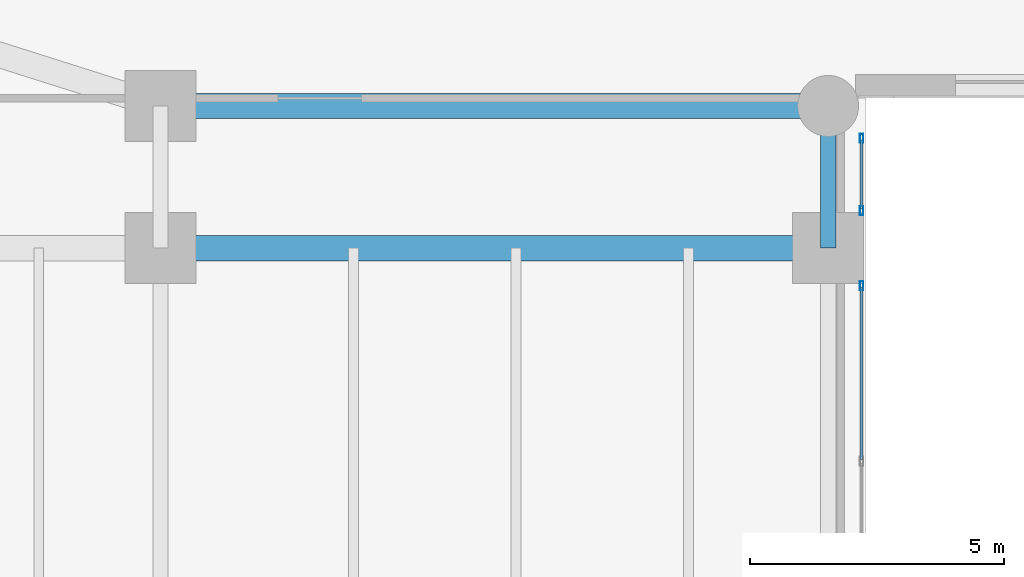
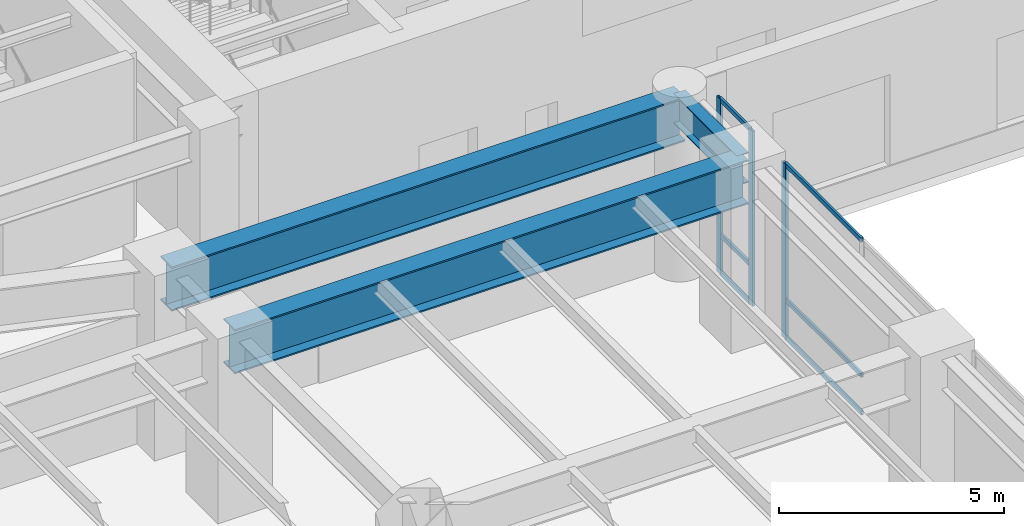
# One storey, part 7 of 24: 9 members, 3 beams, 2 elements without a shape of their own.
"""IFC4 building model written with IfcOpenShell, lengths in metres."""

from ifc_helpers import new_model, si_unit, direction, frame, origin, origin_2d, place, context, subcontext, project, spatial, hollow_rectangle, i_section, extrude, source, transform, mapped, material, layer, layer_set, material_profile, profile_set, type_object, type_shapes, element, aggregate, save


model = new_model("IFC4")

# Units and contexts
model_context = context("Model", 3, precision=1e-05, world=origin(), true_north=direction((0.0, 1.0)))
body_context = subcontext(model_context, "Body", "Model", "MODEL_VIEW")
ifc_project = project(units=[si_unit("LENGTHUNIT", "METRE"), si_unit("AREAUNIT", "SQUARE_METRE"), si_unit("VOLUMEUNIT", "CUBIC_METRE"), si_unit("PLANEANGLEUNIT", "RADIAN"), si_unit("MASSUNIT", "GRAM", prefix="KILO")], contexts=[model_context])

# Site, building, storey
site_placement = place(None, origin())
site = spatial("IfcSite", under=ifc_project, at=site_placement, CompositionType="ELEMENT")
building_placement = place(site_placement, origin())
building = spatial("IfcBuilding", under=site, at=building_placement, Name="Tolvann Quenvar Hotel", CompositionType="ELEMENT")
storey_placement = place(building_placement, frame((0.0, 0.0, 6.0)))
storey = spatial("IfcBuildingStorey", under=building, at=storey_placement, Name="L01", CompositionType="ELEMENT", Elevation=6.0)

# Beams
ifc_material_1 = material(Name="Steel Grade 350", Category="steel")
ifc_material_profile_1 = material_profile(ifc_material_1, i_section(OverallWidth=0.5, OverallDepth=1.199951171875, WebThickness=0.01611328125, FlangeThickness=0.0400390625, at=origin_2d()), Name="1200WB455")
ifc_profile_set_1 = profile_set([ifc_material_profile_1], Name="Steel Grade 350")
beam_type_1 = type_object("IfcBeamType", Name="BM_TG_1200WB455", PredefinedType="USERDEFINED", material=ifc_profile_set_1)
shared_shape_1 = source(origin(), body_context, "Body", "SweptSolid", [
    extrude(i_section(OverallWidth=0.5, OverallDepth=1.199951171875, WebThickness=0.01611328125, FlangeThickness=0.0400390625, at=origin_2d()), origin(), (0.0, 0.0, 1.0), 13.14990234375),
])
type_shapes(beam_type_1, [shared_shape_1])
for number, where, z_axis, x_axis, name in (
    (1, (5.60009765625, 24.39990234375, 4.139892578125), (1.0, 0.0, 0.0), (0.0, 1.0, 0.0), "BM-L01-GW2-4"),
    (2, (5.60009765625, 27.199951171875, 4.139892578125), (1.0, 0.0, 0.0), (0.0, 1.0, 0.0), "BM-L01-GW2-5"),
):
    element("IfcBeam", number, at=place(storey_placement, frame(where, z_axis=z_axis, x_axis=x_axis)), inside=storey, type_object=beam_type_1, Name=name, ObjectType="TRANSFER GIRDER", PredefinedType="USERDEFINED", context=body_context, shape_type="MappedRepresentation", body=[
        mapped(shared_shape_1, transform((0.0, 0.0, 0.0), x_axis=(1.0, 0.0, 0.0), y_axis=(0.0, 1.0, 0.0), z_axis=(0.0, 0.0, 1.0), scale=1.0)),
    ])
ifc_material_profile_2 = material_profile(ifc_material_1, i_section(OverallWidth=0.300048828125, OverallDepth=0.81591796875, WebThickness=0.010009765625, FlangeThickness=0.028076171875, at=origin_2d()), Name="800WB192")
ifc_profile_set_2 = profile_set([ifc_material_profile_2], Name="Steel Grade 350")
beam_type_2 = type_object("IfcBeamType", Name="BM_GIRD_800WB192", PredefinedType="BEAM", material=ifc_profile_set_2)
shared_shape_2 = source(origin(), body_context, "Body", "SweptSolid", [
    extrude(i_section(OverallWidth=0.300048828125, OverallDepth=0.81591796875, WebThickness=0.010009765625, FlangeThickness=0.028076171875, at=origin_2d()), origin(), (0.0, 0.0, 1.0), 2.800048828125),
])
type_shapes(beam_type_2, [shared_shape_2])
beam_placement = place(storey_placement, frame((18.75, 24.39990234375, 4.33203125), z_axis=(0.0, 1.0, 0.0), x_axis=(-1.0, 0.0, 0.0)))
element("IfcBeam", 3, at=beam_placement, inside=storey, type_object=beam_type_2, Name="BM-L01-NS-APW-3", PredefinedType="BEAM", context=body_context, shape_type="MappedRepresentation", body=[
    mapped(shared_shape_2, transform((0.0, 0.0, 0.0), x_axis=(1.0, 0.0, 0.0), y_axis=(0.0, 1.0, 0.0), z_axis=(0.0, 0.0, 1.0), scale=1.0)),
])

# Curtain wall, members
ifc_material_2 = material(Name="Thermally broken anodised architectural aluminium 6063-T6 and laminated low-E glass", Category="aluminium")
ifc_layer = layer(ifc_material_2, 0.179931640625)
ifc_layer_set = layer_set([ifc_layer], Name="Thermally broken anodised architectural aluminium 6063-T6 and laminated low-E glass")
curtain_wall_type = type_object("IfcCurtainWallType", Name="CW_SYS_ARCH_01", PredefinedType="USERDEFINED", material=ifc_layer_set)
curtain_wall_1_placement = place(storey_placement, origin())
curtain_wall_1 = element("IfcCurtainWall", 4, at=curtain_wall_1_placement, inside=storey, type_object=curtain_wall_type, Name="Curtain Wall CW-ARCH-01 (CWR-L01-E01-S4)", ObjectType="UNITISED CURTAIN WALL", PredefinedType="USERDEFINED")
ifc_material_3 = material(Name="Anodised architectural aluminium 6063-T6 framing", Category="aluminium")
ifc_material_profile_3 = material_profile(ifc_material_3, hollow_rectangle(XDim=0.06005859375, YDim=0.1201171875, WallThickness=0.00341796875, at=origin_2d()), Name="120x60x3.5RHS")
ifc_profile_set_3 = profile_set([ifc_material_profile_3], Name="Anodised architectural aluminium 6063-T6 framing")
member_type_1 = type_object("IfcMemberType", Name="CW_TRAN_120x60", PredefinedType="USERDEFINED", material=ifc_profile_set_3)
shared_shape_3 = source(origin(), body_context, "Body", "SweptSolid", [
    extrude(hollow_rectangle(XDim=0.06005859375, YDim=0.1201171875, WallThickness=0.00341796875, at=origin_2d()), origin(), (0.0, 0.0, 1.0), 3.390869140625),
])
member_1_placement = place(storey_placement, frame((19.409912109375, 20.235107421875, 0.030029296875), z_axis=(0.0, 1.0, 0.0), x_axis=(-1.0, 0.0, 0.0)))
member_1 = element("IfcMember", 5, at=member_1_placement, type_object=member_type_1, Name="CW-ARCH-01 transom 2.1", ObjectType="TRANSOM", PredefinedType="USERDEFINED", context=body_context, shape_type="MappedRepresentation", body=[
    mapped(shared_shape_3, transform((0.0, 0.0, 0.0), x_axis=(1.0, 0.0, 0.0), y_axis=(0.0, 1.0, 0.0), z_axis=(0.0, 0.0, 1.0), scale=1.0)),
])
member_2_placement = place(storey_placement, frame((19.409912109375, 20.235107421875, 1.050048828125), z_axis=(0.0, 1.0, 0.0), x_axis=(-1.0, 0.0, 0.0)))
member_2 = element("IfcMember", 6, at=member_2_placement, type_object=member_type_1, Name="CW-ARCH-01 transom 2.2", ObjectType="TRANSOM", PredefinedType="USERDEFINED", context=body_context, shape_type="MappedRepresentation", body=[
    mapped(shared_shape_3, transform((0.0, 0.0, 0.0), x_axis=(1.0, 0.0, 0.0), y_axis=(0.0, 1.0, 0.0), z_axis=(0.0, 0.0, 1.0), scale=1.0)),
])
member_3_placement = place(storey_placement, frame((19.409912109375, 20.235107421875, 4.7099609375), z_axis=(0.0, 1.0, 0.0), x_axis=(-1.0, 0.0, 0.0)))
member_3 = element("IfcMember", 7, at=member_3_placement, type_object=member_type_1, Name="CW-ARCH-01 transom 2.3", ObjectType="TRANSOM", PredefinedType="USERDEFINED", context=body_context, shape_type="MappedRepresentation", body=[
    mapped(shared_shape_3, transform((0.0, 0.0, 0.0), x_axis=(1.0, 0.0, 0.0), y_axis=(0.0, 1.0, 0.0), z_axis=(0.0, 0.0, 1.0), scale=1.0)),
])

curtain_wall_2_placement = place(storey_placement, origin())
curtain_wall_2 = element("IfcCurtainWall", 8, at=curtain_wall_2_placement, inside=storey, type_object=curtain_wall_type, Name="Curtain Wall CW-ARCH-01 (CWR-L01-E01-S5)", ObjectType="UNITISED CURTAIN WALL", PredefinedType="USERDEFINED")
shared_shape_4 = source(origin(), body_context, "Body", "SweptSolid", [
    extrude(hollow_rectangle(XDim=0.06005859375, YDim=0.1201171875, WallThickness=0.00341796875, at=origin_2d()), origin(), (0.0, 0.0, 1.0), 1.351806640625),
])
type_shapes(member_type_1, [shared_shape_3, shared_shape_4])
member_4_placement = place(storey_placement, frame((19.409912109375, 25.174072265625, 0.030029296875), z_axis=(0.0, 1.0, 0.0), x_axis=(-1.0, 0.0, 0.0)))
member_4 = element("IfcMember", 9, at=member_4_placement, type_object=member_type_1, Name="CW-ARCH-01 transom 1.1", ObjectType="TRANSOM", PredefinedType="USERDEFINED", context=body_context, shape_type="MappedRepresentation", body=[
    mapped(shared_shape_4, transform((0.0, 0.0, 0.0), x_axis=(1.0, 0.0, 0.0), y_axis=(0.0, 1.0, 0.0), z_axis=(0.0, 0.0, 1.0), scale=1.0)),
])
member_5_placement = place(storey_placement, frame((19.409912109375, 25.174072265625, 1.050048828125), z_axis=(0.0, 1.0, 0.0), x_axis=(-1.0, 0.0, 0.0)))
member_5 = element("IfcMember", 10, at=member_5_placement, type_object=member_type_1, Name="CW-ARCH-01 transom 1.2", ObjectType="TRANSOM", PredefinedType="USERDEFINED", context=body_context, shape_type="MappedRepresentation", body=[
    mapped(shared_shape_4, transform((0.0, 0.0, 0.0), x_axis=(1.0, 0.0, 0.0), y_axis=(0.0, 1.0, 0.0), z_axis=(0.0, 0.0, 1.0), scale=1.0)),
])
member_6_placement = place(storey_placement, frame((19.409912109375, 25.174072265625, 4.7099609375), z_axis=(0.0, 1.0, 0.0), x_axis=(-1.0, 0.0, 0.0)))
member_6 = element("IfcMember", 11, at=member_6_placement, type_object=member_type_1, Name="CW-ARCH-01 transom 1.3", ObjectType="TRANSOM", PredefinedType="USERDEFINED", context=body_context, shape_type="MappedRepresentation", body=[
    mapped(shared_shape_4, transform((0.0, 0.0, 0.0), x_axis=(1.0, 0.0, 0.0), y_axis=(0.0, 1.0, 0.0), z_axis=(0.0, 0.0, 1.0), scale=1.0)),
])

# Member
ifc_material_profile_4 = material_profile(ifc_material_3, hollow_rectangle(XDim=0.070068359375, YDim=0.179931640625, WallThickness=0.00390625, at=origin_2d()), Name="180x70x4RHS")
ifc_profile_set_4 = profile_set([ifc_material_profile_4], Name="Anodised architectural aluminium 6063-T6 framing")
member_type_2 = type_object("IfcMemberType", Name="CW_MULL_180x70", PredefinedType="MULLION", material=ifc_profile_set_4)
shared_shape_5 = source(origin(), body_context, "Body", "SweptSolid", [
    extrude(hollow_rectangle(XDim=0.070068359375, YDim=0.179931640625, WallThickness=0.00390625, at=origin_2d()), origin(), (0.0, 0.0, 1.0), 4.739990234375),
])
type_shapes(member_type_2, [shared_shape_5])
member_7_placement = place(storey_placement, frame((19.409912109375, 23.660888671875, 0.0), z_axis=(0.0, 0.0, 1.0), x_axis=(-1.0, 0.0, 0.0)))
member_7 = element("IfcMember", 12, at=member_7_placement, type_object=member_type_2, Name="CW-ARCH-01 mullion 3", PredefinedType="MULLION", context=body_context, shape_type="MappedRepresentation", body=[
    mapped(shared_shape_5, transform((0.0, 0.0, 0.0), x_axis=(1.0, 0.0, 0.0), y_axis=(0.0, 1.0, 0.0), z_axis=(0.0, 0.0, 1.0), scale=1.0)),
])

aggregate(curtain_wall_1, [member_7, member_1, member_2, member_3])

member_8_placement = place(storey_placement, frame((19.409912109375, 25.138916015625, 0.0), z_axis=(0.0, 0.0, 1.0), x_axis=(-1.0, 0.0, 0.0)))
member_8 = element("IfcMember", 13, at=member_8_placement, type_object=member_type_2, Name="CW-ARCH-01 mullion 1", PredefinedType="MULLION", context=body_context, shape_type="MappedRepresentation", body=[
    mapped(shared_shape_5, transform((0.0, 0.0, 0.0), x_axis=(1.0, 0.0, 0.0), y_axis=(0.0, 1.0, 0.0), z_axis=(0.0, 0.0, 1.0), scale=1.0)),
])

member_9_placement = place(storey_placement, frame((19.409912109375, 26.56103515625, 0.0), z_axis=(0.0, 0.0, 1.0), x_axis=(-1.0, 0.0, 0.0)))
member_9 = element("IfcMember", 14, at=member_9_placement, type_object=member_type_2, Name="CW-ARCH-01 mullion 2", PredefinedType="MULLION", context=body_context, shape_type="MappedRepresentation", body=[
    mapped(shared_shape_5, transform((0.0, 0.0, 0.0), x_axis=(1.0, 0.0, 0.0), y_axis=(0.0, 1.0, 0.0), z_axis=(0.0, 0.0, 1.0), scale=1.0)),
])

aggregate(curtain_wall_2, [member_8, member_9, member_4, member_5, member_6])

save(model, "model.ifc")
